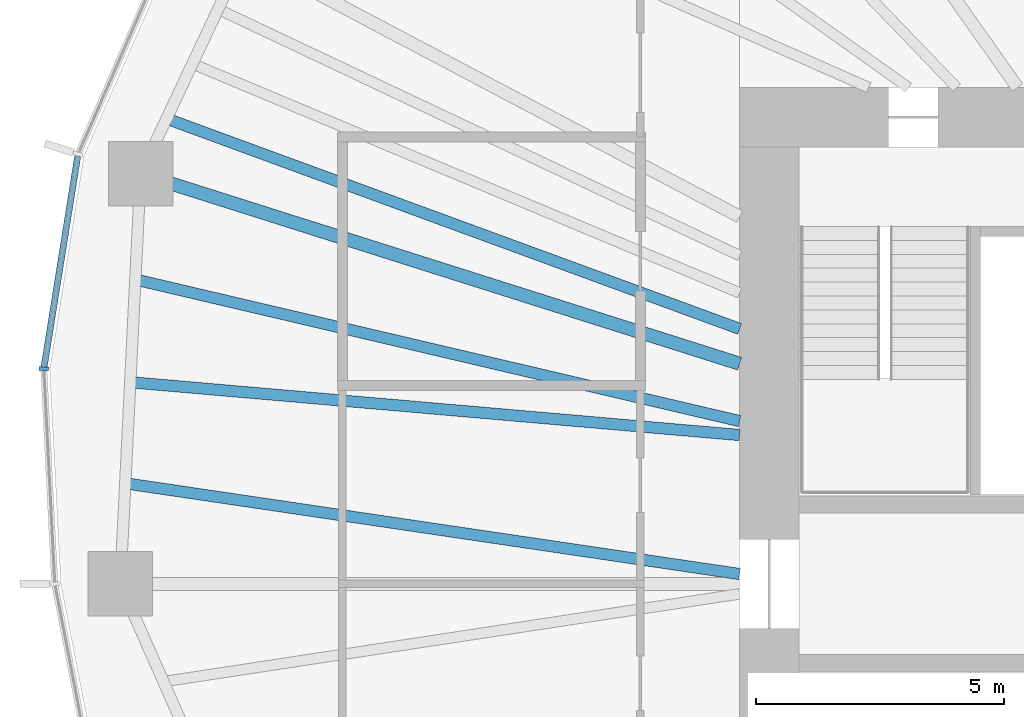
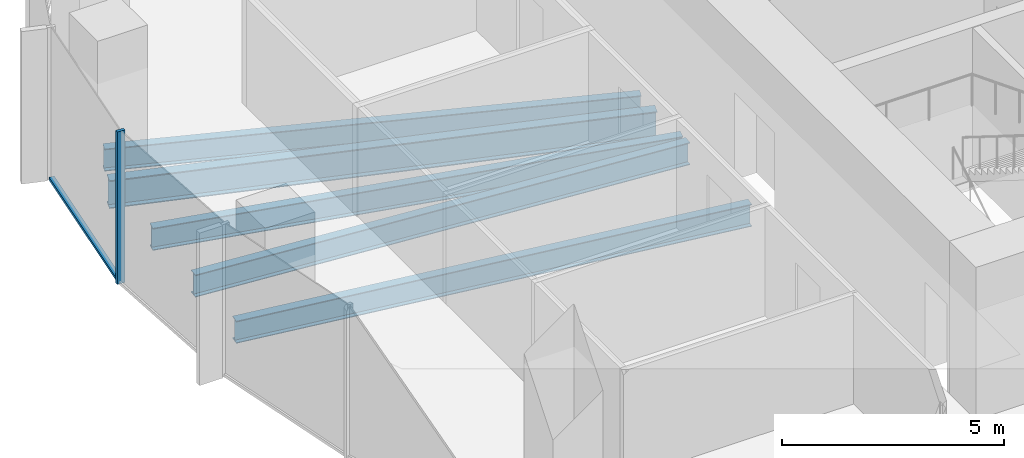
# One storey, part 3 of 12: 5 beams, 2 members, 1 element without a shape of its own.
"""IFC4 building model written with IfcOpenShell, lengths in metres."""

from ifc_helpers import new_model, si_unit, direction, frame, origin, origin_2d, place, context, subcontext, project, spatial, rectangle, i_section, extrude, material, material_profile, profile_set, type_object, element, aggregate, save


model = new_model("IFC4")

# Units and contexts
model_context = context("Model", 3, precision=1e-05, world=origin(), true_north=direction((0.0, 1.0)))
body_context = subcontext(model_context, "Body", "Model", "MODEL_VIEW")
ifc_project = project(units=[si_unit("LENGTHUNIT", "METRE"), si_unit("AREAUNIT", "SQUARE_METRE"), si_unit("VOLUMEUNIT", "CUBIC_METRE"), si_unit("PLANEANGLEUNIT", "RADIAN"), si_unit("MASSUNIT", "GRAM", prefix="KILO")], contexts=[model_context])

# Site, building, storey
site_placement = place(None, origin())
site = spatial("IfcSite", under=ifc_project, at=site_placement, CompositionType="ELEMENT")
building_placement = place(site_placement, origin())
building = spatial("IfcBuilding", under=site, at=building_placement, Name="Ghaith Harvest Tower", CompositionType="ELEMENT")
storey_placement = place(building_placement, frame((0.0, 0.0, 224.199951171875)))
storey = spatial("IfcBuildingStorey", under=building, at=storey_placement, Name="L49", CompositionType="ELEMENT", Elevation=224.199951171875)

# Curtain wall, members
ifc_material_1 = material(Name="Black anodised aluminium and fritted glass", Category="aluminium")
curtain_wall_type = type_object("IfcCurtainWallType", Name="CW-H CURTAIN WALL", PredefinedType="NOTDEFINED", material=ifc_material_1)
curtain_wall_placement = place(storey_placement, origin())
curtain_wall = element("IfcCurtainWall", 1, at=curtain_wall_placement, inside=storey, type_object=curtain_wall_type, Name="Curtain wall CW-H bay 10 L49", PredefinedType="NOTDEFINED")
ifc_material_2 = material(Name="Aluminium, black anodised", Category="aluminium")
ifc_material_profile_1 = material_profile(ifc_material_2, rectangle(XDim=0.080078125, YDim=0.199951171875, at=origin_2d()), Name="CW-H MULLION 80x200")
ifc_profile_set_1 = profile_set([ifc_material_profile_1], Name="Aluminium, black anodised")
member_type_1 = type_object("IfcMemberType", Name="CW-H MULLION 80x200", PredefinedType="MULLION", material=ifc_profile_set_1)
member_1_placement = place(storey_placement, frame((-28.015869140625, 4.333251953125, 0.0), z_axis=(0.0, 0.0, 1.0), x_axis=(-0.054116047044, -0.998534653105, 0.0)))
member_1 = element("IfcMember", 2, at=member_1_placement, type_object=member_type_1, Name="CW-H mullion 2 bay 10 L49", PredefinedType="MULLION", context=body_context, shape_type="SweptSolid", body=[
    extrude(rectangle(XDim=0.080078125, YDim=0.199951171875, at=origin_2d()), origin(), (0.0, 0.0, 1.0), 4.199951171875),
])
ifc_material_3 = material(Name="Aluminium, black anodised", Category="aluminium")
ifc_material_profile_2 = material_profile(ifc_material_3, rectangle(XDim=0.1298828125, YDim=0.080078125, at=origin_2d()), Name="CW-H TRANSOM 130x80")
ifc_profile_set_2 = profile_set([ifc_material_profile_2], Name="Aluminium, black anodised")
member_type_2 = type_object("IfcMemberType", Name="CW-H TRANSOM 130x80", PredefinedType="USERDEFINED", material=ifc_profile_set_2)
member_2_placement = place(storey_placement, frame((-27.33203125, 8.62060546875, 0.0400390625), z_axis=(-0.157492444441, -0.98752019217, 0.0), x_axis=(0.98752019217, -0.157492444441, 0.0)))
member_2 = element("IfcMember", 3, at=member_2_placement, type_object=member_type_2, Name="CW-H transom 1 bay 10 L49", ObjectType="TRANSOM", PredefinedType="USERDEFINED", context=body_context, shape_type="SweptSolid", body=[
    extrude(rectangle(XDim=0.1298828125, YDim=0.080078125, at=origin_2d()), origin(), (0.0, 0.0, 1.0), 4.3017578125),
])
aggregate(curtain_wall, [member_2, member_1])

# Beams
ifc_material_4 = material(Name="Steel ASTM A992 Grade 50", Category="steel")
ifc_material_profile_3 = material_profile(ifc_material_4, i_section(OverallWidth=0.26806640625, OverallDepth=0.77001953125, WebThickness=0.015625, FlangeThickness=0.025390625, at=origin_2d()), Name="W760X196")
ifc_profile_set_3 = profile_set([ifc_material_profile_3], Name="Steel ASTM A992 Grade 50")
beam_type_1 = type_object("IfcBeamType", Name="G760-196 W760X196", PredefinedType="BEAM", material=ifc_profile_set_3)
beam_1_placement = place(storey_placement, frame((-14.0, 4.43701171875, -0.554931640625), z_axis=(-0.953278738841, 0.302092115212, 0.0), x_axis=(-0.302092115212, -0.953278738841, 0.0)))
element("IfcBeam", 4, at=beam_1_placement, inside=storey, type_object=beam_type_1, Name="Radial girder G10 L49", PredefinedType="BEAM", context=body_context, shape_type="SweptSolid", body=[
    extrude(i_section(OverallWidth=0.26806640625, OverallDepth=0.77001953125, WebThickness=0.015625, FlangeThickness=0.025390625, at=origin_2d()), origin(), (0.0, 0.0, 1.0), 12.658203125),
])
ifc_material_5 = material(Name="Steel ASTM A992 Grade 50", Category="steel")
ifc_material_profile_4 = material_profile(ifc_material_5, i_section(OverallWidth=0.22900390625, OverallDepth=0.612060546875, WebThickness=0.011962890625, FlangeThickness=0.01953125, at=origin_2d()), Name="W610X125")
ifc_profile_set_4 = profile_set([ifc_material_profile_4], Name="Steel ASTM A992 Grade 50")
beam_type_2 = type_object("IfcBeamType", Name="J610-125 W610X125", PredefinedType="JOIST", material=ifc_profile_set_4)
beam_2_placement = place(storey_placement, frame((-14.0, 5.137939453125, -0.475830078125), z_axis=(-0.938775301049, 0.344530019216, 0.0), x_axis=(-0.344530019216, -0.938775301049, 0.0)))
element("IfcBeam", 5, at=beam_2_placement, inside=storey, type_object=beam_type_2, Name="Joist J09.3 L49", PredefinedType="JOIST", context=body_context, shape_type="SweptSolid", body=[
    extrude(i_section(OverallWidth=0.22900390625, OverallDepth=0.612060546875, WebThickness=0.011962890625, FlangeThickness=0.01953125, at=origin_2d()), origin(), (0.0, 0.0, 1.0), 12.295166015625),
])
beam_3_placement = place(storey_placement, frame((-14.0, 3.280517578125, -0.475830078125), z_axis=(-0.973621665777, 0.228168472691, 0.0), x_axis=(-0.228168472691, -0.973621665777, 0.0)))
element("IfcBeam", 6, at=beam_3_placement, inside=storey, type_object=beam_type_2, Name="Joist J10.1 L49", PredefinedType="JOIST", context=body_context, shape_type="SweptSolid", body=[
    extrude(i_section(OverallWidth=0.22900390625, OverallDepth=0.612060546875, WebThickness=0.011962890625, FlangeThickness=0.01953125, at=origin_2d()), origin(), (0.0, 0.0, 1.0), 12.501953125),
])
beam_4_placement = place(storey_placement, frame((-14.0, 3.0, -0.475830078125), z_axis=(-0.996265900996, 0.086338024716, 0.0), x_axis=(-0.086338024716, -0.996265900996, 0.0)))
element("IfcBeam", 7, at=beam_4_placement, inside=storey, type_object=beam_type_2, Name="Joist J10.2 L49", PredefinedType="JOIST", context=body_context, shape_type="SweptSolid", body=[
    extrude(i_section(OverallWidth=0.22900390625, OverallDepth=0.612060546875, WebThickness=0.011962890625, FlangeThickness=0.01953125, at=origin_2d()), origin(), (0.0, 0.0, 1.0), 12.3203125),
])
beam_5_placement = place(storey_placement, frame((-14.0, 0.199951171875, -0.475830078125), z_axis=(-0.989269378665, 0.146103033631, 0.0), x_axis=(-0.146103033631, -0.989269378665, 0.0)))
element("IfcBeam", 8, at=beam_5_placement, inside=storey, type_object=beam_type_2, Name="Joist J10.3 L49", PredefinedType="JOIST", context=body_context, shape_type="SweptSolid", body=[
    extrude(i_section(OverallWidth=0.22900390625, OverallDepth=0.612060546875, WebThickness=0.011962890625, FlangeThickness=0.01953125, at=origin_2d()), origin(), (0.0, 0.0, 1.0), 12.50927734375),
])

save(model, "model.ifc")
